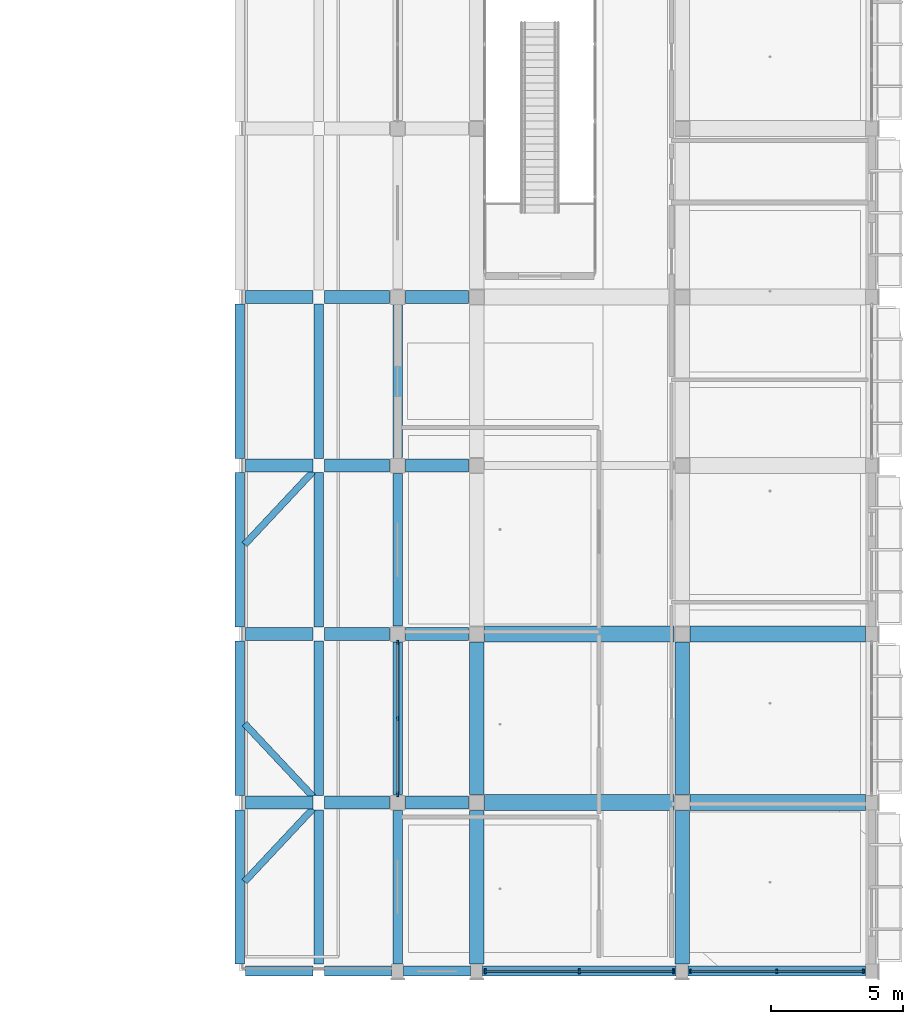
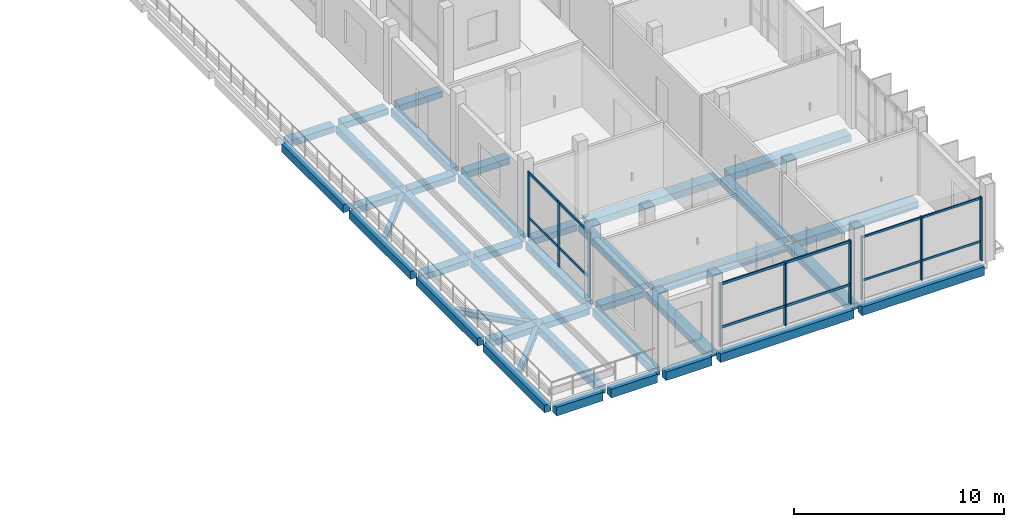
# One storey, part 32 of 95: 40 beams, 15 members, 3 elements without a shape of their own.
"""IFC4 building model written with IfcOpenShell, lengths in metres."""

import ifcopenshell
import ifcopenshell.guid

model = None  # the IFC model being written
_history = None  # IfcOwnerHistory: only IFC2X3 demands one
_inside = {}  # id of a spatial element -> (the spatial element, [elements in it])
_under = {}  # id of a project, library or spatial element -> (it, [spatial elements below it])
_declared = {}  # id of a project -> (the project, [libraries it declares])
_typed = {}  # id of a type object -> (the type object, [elements of that type])
_made_of = {}  # id of a material, layer set ... -> (it, [elements and type objects made of it])


def new_model(schema):
    """Start an empty IFC model of exactly this schema.

    Asked for "IFC4X3", IfcOpenShell would pick the latest addendum, in which some entities
    have other attributes; the version numbers below select the first issue.
    IFC2X3 requires an IfcOwnerHistory on every rooted entity: one is made here for all.
    """
    global model, _history
    if schema == "IFC4X3":
        model = ifcopenshell.file(schema_version=(4, 3, 0, 0))
    else:
        model = ifcopenshell.file(schema=schema)
    _inside.clear()
    _under.clear()
    _declared.clear()
    _typed.clear()
    _made_of.clear()
    _history = None
    if model.schema == "IFC2X3":
        org = make("IfcOrganization", Name="unknown")
        user = make(
            "IfcPersonAndOrganization",
            ThePerson=make("IfcPerson", FamilyName="unknown"),
            TheOrganization=org,
        )
        app = make(
            "IfcApplication",
            ApplicationDeveloper=org,
            Version="unknown",
            ApplicationFullName="unknown",
            ApplicationIdentifier="unknown",
        )
        _history = make(
            "IfcOwnerHistory",
            OwningUser=user,
            OwningApplication=app,
            ChangeAction="ADDED",
            CreationDate=0,
        )
    return model


def make(cls, **values):
    """One entity of the class cls with the attributes given. An attribute that is None is left unset."""
    return model.create_entity(
        cls, **{name: value for name, value in values.items() if value is not None}
    )


def rooted(cls, **values):
    """An entity with a GlobalId (a new one), such as an element, a storey or a relation."""
    return make(cls, GlobalId=ifcopenshell.guid.new(), OwnerHistory=_history, **values)


def si_unit(unit_type, name, prefix=None):
    """IfcSIUnit, for example si_unit("LENGTHUNIT", "METRE", prefix="MILLI")."""
    return make("IfcSIUnit", UnitType=unit_type, Prefix=prefix, Name=name)


def derived_unit(unit_type, elements):
    """IfcDerivedUnit: a product of units, each with its exponent."""
    return make(
        "IfcDerivedUnit",
        Elements=[
            make("IfcDerivedUnitElement", Unit=unit, Exponent=power)
            for unit, power in elements
        ],
        UnitType=unit_type,
    )


def assignment(units):
    """IfcUnitAssignment: the units of a project."""
    return None if units is None else make("IfcUnitAssignment", Units=units)


def point(xyz):
    """IfcCartesianPoint."""
    return None if xyz is None else make("IfcCartesianPoint", Coordinates=xyz)


def direction(xyz):
    """IfcDirection."""
    return None if xyz is None else make("IfcDirection", DirectionRatios=xyz)


def frame(location, z_axis=None, x_axis=None):
    """IfcAxis2Placement3D, a coordinate frame: its origin and axes. An axis left out is left unset."""
    return make(
        "IfcAxis2Placement3D",
        Location=point(location),
        Axis=direction(z_axis),
        RefDirection=direction(x_axis),
    )


def frame_2d(location, x_axis=None):
    """IfcAxis2Placement2D, a coordinate frame in the plane: its origin and x axis."""
    return make(
        "IfcAxis2Placement2D", Location=point(location), RefDirection=direction(x_axis)
    )


def origin():
    """The frame at (0, 0, 0) with its axes left unset."""
    return frame((0.0, 0.0, 0.0))


def origin_2d():
    """The frame at (0, 0) in the plane with its x axis left unset."""
    return frame_2d((0.0, 0.0))


def place(relative_to, where):
    """IfcLocalPlacement: puts the frame where relative to a parent placement (None: the world)."""
    return make(
        "IfcLocalPlacement", PlacementRelTo=relative_to, RelativePlacement=where
    )


def context(
    kind, dimensions, precision=None, world=None, true_north=None, identifier=None
):
    """IfcGeometricRepresentationContext, for example the 3D "Model" context."""
    return make(
        "IfcGeometricRepresentationContext",
        ContextIdentifier=identifier,
        ContextType=kind,
        CoordinateSpaceDimension=dimensions,
        Precision=precision,
        WorldCoordinateSystem=world,
        TrueNorth=true_north,
    )


def subcontext(parent, identifier, kind, view, scale=None):
    """IfcGeometricRepresentationSubContext, for example "Body" below "Model"."""
    return make(
        "IfcGeometricRepresentationSubContext",
        ContextIdentifier=identifier,
        ContextType=kind,
        ParentContext=parent,
        TargetScale=scale,
        TargetView=view,
    )


def project(units=None, contexts=None):
    """IfcProject with its units and contexts."""
    return rooted(
        "IfcProject",
        Name="project",
        RepresentationContexts=contexts,
        UnitsInContext=assignment(units),
    )


def spatial(cls, under=None, at=None, **own):
    """A site, building, storey or space (cls), placed at a placement, below another one or the project."""
    s = rooted(cls, ObjectPlacement=at, **own)
    if under is not None:
        _under.setdefault(under.id(), (under, []))[1].append(s)
    return s


def profile(cls, at=None, kind="AREA", **sizes):
    """A parametric profile (cls). Its sizes go by their IFC names, for example OverallWidth=200.0."""
    return make(cls, ProfileType=kind, Position=at, **sizes)


def rectangle(**sizes):
    """IfcRectangleProfileDef."""
    return profile("IfcRectangleProfileDef", **sizes)


def i_section(**sizes):
    """IfcIShapeProfileDef."""
    return profile("IfcIShapeProfileDef", **sizes)


def extrude(swept, where, along, depth):
    """IfcExtrudedAreaSolid: the profile swept, set in the frame where, extruded along a direction by depth."""
    return make(
        "IfcExtrudedAreaSolid",
        SweptArea=swept,
        Position=where,
        ExtrudedDirection=direction(along),
        Depth=depth,
    )


def shape(context_of_items, identifier, shape_type, items):
    """IfcShapeRepresentation: the items that make up one representation, for example the "Body"."""
    return make(
        "IfcShapeRepresentation",
        ContextOfItems=context_of_items,
        RepresentationIdentifier=identifier,
        RepresentationType=shape_type,
        Items=items,
    )


def material(Name=None, Category=None):
    """IfcMaterial."""
    return make("IfcMaterial", Name=Name, Category=Category)


def material_profile(
    of_material, cross_section, Name=None, Category=None, Priority=None
):
    """IfcMaterialProfile: a cross section and its material."""
    return make(
        "IfcMaterialProfile",
        Name=Name,
        Material=of_material,
        Profile=cross_section,
        Priority=Priority,
        Category=Category,
    )


def profile_set(profiles, Name=None, composite=None):
    """IfcMaterialProfileSet."""
    return make(
        "IfcMaterialProfileSet",
        Name=Name,
        MaterialProfiles=profiles,
        CompositeProfile=composite,
    )


def made_of(thing, what):
    """Note that an element or type object is made of a material, layer set ...; save() writes the relation."""
    if what is not None:
        _made_of.setdefault(what.id(), (what, []))[1].append(thing)
    return thing


def type_object(cls, material=None, **own):
    """A type object (cls), such as IfcWallType, which elements share."""
    return made_of(rooted(cls, **own), material)


def element(
    cls,
    number,
    at=None,
    inside=None,
    cuts=None,
    type_object=None,
    material=None,
    context=None,
    identifier="Body",
    shape_type=None,
    held_by="IfcProductDefinitionShape",
    body=None,
    shapes=None,
    **own,
):
    """One element of the class cls, such as IfcWall. Its Tag is "e" and its number.

    at: its placement. inside: the storey or other place that contains it. cuts: it is an
    opening in that element (IfcRelVoidsElement). A single representation is given by context,
    identifier, shape_type and body (its items); several are given by shapes. held_by: the class
    of the entity that holds the representations. save() writes the other relations.
    """
    e = rooted(cls, Tag="e%d" % number, ObjectPlacement=at, **own)
    if body is not None:
        shapes = [shape(context, identifier, shape_type, body)]
    if shapes is not None:
        e.Representation = make(held_by, Representations=shapes)
    if inside is not None:
        _inside.setdefault(inside.id(), (inside, []))[1].append(e)
    if cuts is not None:
        rooted(
            "IfcRelVoidsElement", RelatingBuildingElement=cuts, RelatedOpeningElement=e
        )
    if type_object is not None:
        _typed.setdefault(type_object.id(), (type_object, []))[1].append(e)
    return made_of(e, material)


def aggregate(whole, parts):
    """IfcRelAggregates: a whole, such as a stair, and the parts it consists of."""
    return rooted("IfcRelAggregates", RelatingObject=whole, RelatedObjects=parts)


def save(model, path):
    """Write the relations noted so far, then the file.

    IfcRelAggregates (storeys below a building ...), IfcRelContainedInSpatialStructure (elements
    in a storey), IfcRelDefinesByType, IfcRelAssociatesMaterial and IfcRelDeclares: one each for
    every whole, place, type object, material and project.
    """
    for whole, parts in _under.values():
        aggregate(whole, parts)
    for where, things in _inside.values():
        rooted(
            "IfcRelContainedInSpatialStructure",
            RelatedElements=things,
            RelatingStructure=where,
        )
    for kind, things in _typed.values():
        rooted("IfcRelDefinesByType", RelatedObjects=things, RelatingType=kind)
    for what, things in _made_of.values():
        rooted("IfcRelAssociatesMaterial", RelatedObjects=things, RelatingMaterial=what)
    for by, libraries in _declared.values():
        rooted("IfcRelDeclares", RelatingContext=by, RelatedDefinitions=libraries)
    model.write(path)


model = new_model("IFC4")

# Units and contexts
model_context = context("Model", 3, precision=1e-05, world=origin(), true_north=direction((0.0, 1.0)))
body_context = subcontext(model_context, "Body", "Model", "MODEL_VIEW")
ifc_project = project(units=[si_unit("LENGTHUNIT", "METRE"), si_unit("AREAUNIT", "SQUARE_METRE"), si_unit("VOLUMEUNIT", "CUBIC_METRE"), si_unit("PLANEANGLEUNIT", "RADIAN"), si_unit("MASSUNIT", "GRAM", prefix="KILO"), derived_unit("THERMALTRANSMITTANCEUNIT", [(si_unit("POWERUNIT", "WATT"), 1), (si_unit("LENGTHUNIT", "METRE"), -2), (si_unit("THERMODYNAMICTEMPERATUREUNIT", "KELVIN"), -1)])], contexts=[model_context])

# Site, building, storey
site_placement = place(None, origin())
site = spatial("IfcSite", under=ifc_project, at=site_placement, CompositionType="ELEMENT")
building_placement = place(site_placement, origin())
building = spatial("IfcBuilding", under=site, at=building_placement, Name="Braskholm Square Health Centre", CompositionType="ELEMENT")
storey_placement = place(building_placement, frame((0.0, 0.0, 4.800048828125)))
storey = spatial("IfcBuildingStorey", under=building, at=storey_placement, Name="L02", CompositionType="ELEMENT", Elevation=4.800048828125)

# Curtain wall, members
ifc_material_1 = material(Name="Low-E triple insulating glass (VLT 0.64)", Category="glass")
curtain_wall_type_1 = type_object("IfcCurtainWallType", Name="UnitisedCurtainWall6200x3650", PredefinedType="NOTDEFINED", material=ifc_material_1)
curtain_wall_1_placement = place(storey_placement, origin())
curtain_wall_1 = element("IfcCurtainWall", 1, at=curtain_wall_1_placement, inside=storey, type_object=curtain_wall_type_1, Name="Wing End unitised curtain wall CW-L02-0160", PredefinedType="NOTDEFINED")
ifc_material_2 = material(Name="Architectural bronze anodised aluminium", Category="aluminium")
ifc_material_profile_1 = material_profile(ifc_material_2, rectangle(XDim=0.06494140625, YDim=0.14990234375, at=origin_2d()), Name="ALU-65X150")
ifc_profile_set_1 = profile_set([ifc_material_profile_1], Name="Architectural bronze anodised aluminium")
member_type_1 = type_object("IfcMemberType", Name="CurtainWallMullion65x150", PredefinedType="MULLION", material=ifc_profile_set_1)
member_1_placement = place(storey_placement, frame((156.919921875, 4.199951171875, 0.0), z_axis=(0.0, 0.0, 1.0), x_axis=(1.0, 0.0, 0.0)))
member_1 = element("IfcMember", 2, at=member_1_placement, type_object=member_type_1, Name="CW-L02-0160 vertical mullion 1", PredefinedType="MULLION", context=body_context, shape_type="SweptSolid", body=[
    extrude(rectangle(XDim=0.06494140625, YDim=0.14990234375, at=origin_2d()), origin(), (0.0, 0.0, 1.0), 3.699951171875),
])
member_2_placement = place(storey_placement, frame((160.199951171875, 4.199951171875, 0.0), z_axis=(0.0, 0.0, 1.0), x_axis=(1.0, 0.0, 0.0)))
member_2 = element("IfcMember", 3, at=member_2_placement, type_object=member_type_1, Name="CW-L02-0160 vertical mullion 2", PredefinedType="MULLION", context=body_context, shape_type="SweptSolid", body=[
    extrude(rectangle(XDim=0.06494140625, YDim=0.14990234375, at=origin_2d()), origin(), (0.0, 0.0, 1.0), 3.699951171875),
])
member_3_placement = place(storey_placement, frame((163.480224609375, 4.199951171875, 0.0), z_axis=(0.0, 0.0, 1.0), x_axis=(1.0, 0.0, 0.0)))
member_3 = element("IfcMember", 4, at=member_3_placement, type_object=member_type_1, Name="CW-L02-0160 vertical mullion 3", PredefinedType="MULLION", context=body_context, shape_type="SweptSolid", body=[
    extrude(rectangle(XDim=0.06494140625, YDim=0.14990234375, at=origin_2d()), origin(), (0.0, 0.0, 1.0), 3.699951171875),
])

curtain_wall_type_2 = type_object("IfcCurtainWallType", Name="UnitisedCurtainWall6200x3800", PredefinedType="NOTDEFINED", material=ifc_material_1)
curtain_wall_2_placement = place(storey_placement, origin())
curtain_wall_2 = element("IfcCurtainWall", 5, at=curtain_wall_2_placement, inside=storey, type_object=curtain_wall_type_2, Name="East Valley unitised curtain wall CW-L02-0117", PredefinedType="NOTDEFINED")
ifc_material_profile_2 = material_profile(ifc_material_2, rectangle(XDim=0.074951171875, YDim=0.179931640625, at=origin_2d()), Name="ALU-75X180")
ifc_profile_set_2 = profile_set([ifc_material_profile_2], Name="Architectural bronze anodised aluminium")
member_type_2 = type_object("IfcMemberType", Name="CurtainWallMullion75x180", PredefinedType="MULLION", material=ifc_profile_set_2)
member_4_placement = place(storey_placement, frame((145.800048828125, 16.679931640625, 0.0), z_axis=(0.0, 0.0, 1.0), x_axis=(1.0, 0.0, 0.0)))
member_4 = element("IfcMember", 6, at=member_4_placement, type_object=member_type_2, Name="CW-L02-0117 vertical mullion 1", PredefinedType="MULLION", context=body_context, shape_type="SweptSolid", body=[
    extrude(rectangle(XDim=0.074951171875, YDim=0.179931640625, at=origin_2d()), origin(), (0.0, 0.0, 1.0), 3.7900390625),
])
member_5_placement = place(storey_placement, frame((145.800048828125, 13.800048828125, 0.0), z_axis=(0.0, 0.0, 1.0), x_axis=(1.0, 0.0, 0.0)))
member_5 = element("IfcMember", 7, at=member_5_placement, type_object=member_type_2, Name="CW-L02-0117 vertical mullion 2", PredefinedType="MULLION", context=body_context, shape_type="SweptSolid", body=[
    extrude(rectangle(XDim=0.074951171875, YDim=0.179931640625, at=origin_2d()), origin(), (0.0, 0.0, 1.0), 3.7900390625),
])
member_6_placement = place(storey_placement, frame((145.800048828125, 10.919921875, 0.0), z_axis=(0.0, 0.0, 1.0), x_axis=(1.0, 0.0, 0.0)))
member_6 = element("IfcMember", 8, at=member_6_placement, type_object=member_type_2, Name="CW-L02-0117 vertical mullion 3", PredefinedType="MULLION", context=body_context, shape_type="SweptSolid", body=[
    extrude(rectangle(XDim=0.074951171875, YDim=0.179931640625, at=origin_2d()), origin(), (0.0, 0.0, 1.0), 3.7900390625),
])

curtain_wall_3_placement = place(storey_placement, origin())
curtain_wall_3 = element("IfcCurtainWall", 9, at=curtain_wall_3_placement, inside=storey, type_object=curtain_wall_type_1, Name="Wing End unitised curtain wall CW-L02-0159", PredefinedType="NOTDEFINED")
member_7_placement = place(storey_placement, frame((149.123291015625, 4.199951171875, 0.0), z_axis=(0.0, 0.0, 1.0), x_axis=(1.0, 0.0, 0.0)))
member_7 = element("IfcMember", 10, at=member_7_placement, type_object=member_type_2, Name="CW-L02-0159 vertical mullion 1", PredefinedType="MULLION", context=body_context, shape_type="SweptSolid", body=[
    extrude(rectangle(XDim=0.074951171875, YDim=0.179931640625, at=origin_2d()), origin(), (0.0, 0.0, 1.0), 3.699951171875),
])
member_8_placement = place(storey_placement, frame((152.699951171875, 4.199951171875, 0.0), z_axis=(0.0, 0.0, 1.0), x_axis=(1.0, 0.0, 0.0)))
member_8 = element("IfcMember", 11, at=member_8_placement, type_object=member_type_2, Name="CW-L02-0159 vertical mullion 2", PredefinedType="MULLION", context=body_context, shape_type="SweptSolid", body=[
    extrude(rectangle(XDim=0.074951171875, YDim=0.179931640625, at=origin_2d()), origin(), (0.0, 0.0, 1.0), 3.699951171875),
])
member_9_placement = place(storey_placement, frame((156.276611328125, 4.199951171875, 0.0), z_axis=(0.0, 0.0, 1.0), x_axis=(1.0, 0.0, 0.0)))
member_9 = element("IfcMember", 12, at=member_9_placement, type_object=member_type_2, Name="CW-L02-0159 vertical mullion 3", PredefinedType="MULLION", context=body_context, shape_type="SweptSolid", body=[
    extrude(rectangle(XDim=0.074951171875, YDim=0.179931640625, at=origin_2d()), origin(), (0.0, 0.0, 1.0), 3.699951171875),
])

# Member
ifc_material_profile_3 = material_profile(ifc_material_2, rectangle(XDim=0.06494140625, YDim=0.1201171875, at=origin_2d()), Name="ALU-65X120")
ifc_profile_set_3 = profile_set([ifc_material_profile_3], Name="Architectural bronze anodised aluminium")
member_type_3 = type_object("IfcMemberType", Name="CurtainWallTransom65x120", PredefinedType="USERDEFINED", material=ifc_profile_set_3)
member_10_placement = place(storey_placement, frame((156.925048828125, 4.199951171875, 1.119873046875), z_axis=(1.0, 0.0, 0.0), x_axis=(0.0, 1.0, 0.0)))
member_10 = element("IfcMember", 13, at=member_10_placement, type_object=member_type_3, Name="CW-L02-0160 horizontal transom 1", ObjectType="TRANSOM", PredefinedType="USERDEFINED", context=body_context, shape_type="SweptSolid", body=[
    extrude(rectangle(XDim=0.06494140625, YDim=0.1201171875, at=origin_2d()), origin(), (0.0, 0.0, 1.0), 6.550048828125),
])

member_11_placement = place(storey_placement, frame((156.925048828125, 4.199951171875, 3.6298828125), z_axis=(1.0, 0.0, 0.0), x_axis=(0.0, 1.0, 0.0)))
member_11 = element("IfcMember", 14, at=member_11_placement, type_object=member_type_3, Name="CW-L02-0160 horizontal transom 2", ObjectType="TRANSOM", PredefinedType="USERDEFINED", context=body_context, shape_type="SweptSolid", body=[
    extrude(rectangle(XDim=0.06494140625, YDim=0.1201171875, at=origin_2d()), origin(), (0.0, 0.0, 1.0), 6.550048828125),
])

aggregate(curtain_wall_1, [member_1, member_2, member_3, member_10, member_11])

ifc_material_profile_4 = material_profile(ifc_material_2, rectangle(XDim=0.074951171875, YDim=0.139892578125, at=origin_2d()), Name="ALU-75X140")
ifc_profile_set_4 = profile_set([ifc_material_profile_4], Name="Architectural bronze anodised aluminium")
member_type_4 = type_object("IfcMemberType", Name="CurtainWallTransom75x140", PredefinedType="USERDEFINED", material=ifc_profile_set_4)
member_12_placement = place(storey_placement, frame((145.800048828125, 16.669921875, 1.119873046875), z_axis=(0.0, -1.0, 0.0), x_axis=(1.0, 0.0, 0.0)))
member_12 = element("IfcMember", 15, at=member_12_placement, type_object=member_type_4, Name="CW-L02-0117 horizontal transom 1", ObjectType="TRANSOM", PredefinedType="USERDEFINED", context=body_context, shape_type="SweptSolid", body=[
    extrude(rectangle(XDim=0.074951171875, YDim=0.139892578125, at=origin_2d()), origin(), (0.0, 0.0, 1.0), 5.739990234375),
])

member_13_placement = place(storey_placement, frame((145.800048828125, 16.669921875, 3.719970703125), z_axis=(0.0, -1.0, 0.0), x_axis=(1.0, 0.0, 0.0)))
member_13 = element("IfcMember", 16, at=member_13_placement, type_object=member_type_4, Name="CW-L02-0117 horizontal transom 2", ObjectType="TRANSOM", PredefinedType="USERDEFINED", context=body_context, shape_type="SweptSolid", body=[
    extrude(rectangle(XDim=0.074951171875, YDim=0.139892578125, at=origin_2d()), origin(), (0.0, 0.0, 1.0), 5.739990234375),
])

aggregate(curtain_wall_2, [member_4, member_5, member_6, member_12, member_13])

member_14_placement = place(storey_placement, frame((149.125, 4.199951171875, 1.119873046875), z_axis=(1.0, 0.0, 0.0), x_axis=(0.0, 1.0, 0.0)))
member_14 = element("IfcMember", 17, at=member_14_placement, type_object=member_type_4, Name="CW-L02-0159 horizontal transom 1", ObjectType="TRANSOM", PredefinedType="USERDEFINED", context=body_context, shape_type="SweptSolid", body=[
    extrude(rectangle(XDim=0.074951171875, YDim=0.139892578125, at=origin_2d()), origin(), (0.0, 0.0, 1.0), 7.14990234375),
])

member_15_placement = place(storey_placement, frame((149.125, 4.199951171875, 3.6298828125), z_axis=(1.0, 0.0, 0.0), x_axis=(0.0, 1.0, 0.0)))
member_15 = element("IfcMember", 18, at=member_15_placement, type_object=member_type_4, Name="CW-L02-0159 horizontal transom 2", ObjectType="TRANSOM", PredefinedType="USERDEFINED", context=body_context, shape_type="SweptSolid", body=[
    extrude(rectangle(XDim=0.074951171875, YDim=0.139892578125, at=origin_2d()), origin(), (0.0, 0.0, 1.0), 7.14990234375),
])

aggregate(curtain_wall_3, [member_7, member_8, member_9, member_14, member_15])

# Beams
ifc_material_3 = material(Name="Concrete C35/45 (f'c = 35 MPa)", Category="concrete")
ifc_material_profile_5 = material_profile(ifc_material_3, rectangle(XDim=0.5, YDim=0.360107421875, at=origin_2d()), Name="RCB-500X360")
ifc_profile_set_5 = profile_set([ifc_material_profile_5], Name="Concrete C35/45 (f'c = 35 MPa)")
beam_type_1 = type_object("IfcBeamType", Name="PrimaryBandBeam500x360", PredefinedType="BEAM", material=ifc_profile_set_5)
beam_1_placement = place(storey_placement, frame((140.02001953125, 10.60009765625, -0.429931640625), z_axis=(1.0, 0.0, 0.0), x_axis=(0.0, 1.0, 0.0)))
element("IfcBeam", 19, at=beam_1_placement, inside=storey, type_object=beam_type_1, Name="Beam 17-18/B L02", PredefinedType="BEAM", context=body_context, shape_type="SweptSolid", body=[
    extrude(rectangle(XDim=0.5, YDim=0.360107421875, at=origin_2d()), origin(), (0.0, 0.0, 1.0), 2.56005859375),
])
beam_2_placement = place(storey_placement, frame((143.02001953125, 10.60009765625, -0.429931640625), z_axis=(1.0, 0.0, 0.0), x_axis=(0.0, 1.0, 0.0)))
element("IfcBeam", 20, at=beam_2_placement, inside=storey, type_object=beam_type_1, Name="Beam 18-19/B L02", PredefinedType="BEAM", context=body_context, shape_type="SweptSolid", body=[
    extrude(rectangle(XDim=0.5, YDim=0.360107421875, at=origin_2d()), origin(), (0.0, 0.0, 1.0), 2.47998046875),
])
beam_3_placement = place(storey_placement, frame((146.10009765625, 10.60009765625, -0.47998046875), z_axis=(1.0, 0.0, 0.0), x_axis=(0.0, 1.0, 0.0)))
element("IfcBeam", 21, at=beam_3_placement, inside=storey, type_object=beam_type_1, Name="Beam 19-20/B L02", PredefinedType="BEAM", context=body_context, shape_type="SweptSolid", body=[
    extrude(rectangle(XDim=0.5, YDim=0.360107421875, at=origin_2d()), origin(), (0.0, 0.0, 1.0), 2.39990234375),
])
beam_4_placement = place(storey_placement, frame((140.02001953125, 17.0, -0.429931640625), z_axis=(1.0, 0.0, 0.0), x_axis=(0.0, 1.0, 0.0)))
element("IfcBeam", 22, at=beam_4_placement, inside=storey, type_object=beam_type_1, Name="Beam 17-18/C L02", PredefinedType="BEAM", context=body_context, shape_type="SweptSolid", body=[
    extrude(rectangle(XDim=0.5, YDim=0.360107421875, at=origin_2d()), origin(), (0.0, 0.0, 1.0), 2.56005859375),
])
beam_5_placement = place(storey_placement, frame((143.02001953125, 17.0, -0.429931640625), z_axis=(1.0, 0.0, 0.0), x_axis=(0.0, 1.0, 0.0)))
element("IfcBeam", 23, at=beam_5_placement, inside=storey, type_object=beam_type_1, Name="Beam 18-19/C L02", PredefinedType="BEAM", context=body_context, shape_type="SweptSolid", body=[
    extrude(rectangle(XDim=0.5, YDim=0.360107421875, at=origin_2d()), origin(), (0.0, 0.0, 1.0), 2.47998046875),
])
beam_6_placement = place(storey_placement, frame((146.10009765625, 17.0, -0.47998046875), z_axis=(1.0, 0.0, 0.0), x_axis=(0.0, 1.0, 0.0)))
element("IfcBeam", 24, at=beam_6_placement, inside=storey, type_object=beam_type_1, Name="Beam 19-20/C L02", PredefinedType="BEAM", context=body_context, shape_type="SweptSolid", body=[
    extrude(rectangle(XDim=0.5, YDim=0.360107421875, at=origin_2d()), origin(), (0.0, 0.0, 1.0), 2.39990234375),
])
beam_7_placement = place(storey_placement, frame((140.02001953125, 23.39990234375, -0.429931640625), z_axis=(1.0, 0.0, 0.0), x_axis=(0.0, 1.0, 0.0)))
element("IfcBeam", 25, at=beam_7_placement, inside=storey, type_object=beam_type_1, Name="Beam 17-18/D L02", PredefinedType="BEAM", context=body_context, shape_type="SweptSolid", body=[
    extrude(rectangle(XDim=0.5, YDim=0.360107421875, at=origin_2d()), origin(), (0.0, 0.0, 1.0), 2.56005859375),
])
beam_8_placement = place(storey_placement, frame((143.02001953125, 23.39990234375, -0.429931640625), z_axis=(1.0, 0.0, 0.0), x_axis=(0.0, 1.0, 0.0)))
element("IfcBeam", 26, at=beam_8_placement, inside=storey, type_object=beam_type_1, Name="Beam 18-19/D L02", PredefinedType="BEAM", context=body_context, shape_type="SweptSolid", body=[
    extrude(rectangle(XDim=0.5, YDim=0.360107421875, at=origin_2d()), origin(), (0.0, 0.0, 1.0), 2.47998046875),
])
beam_9_placement = place(storey_placement, frame((146.10009765625, 23.39990234375, -0.47998046875), z_axis=(1.0, 0.0, 0.0), x_axis=(0.0, 1.0, 0.0)))
element("IfcBeam", 27, at=beam_9_placement, inside=storey, type_object=beam_type_1, Name="Beam 19-20/D L02", PredefinedType="BEAM", context=body_context, shape_type="SweptSolid", body=[
    extrude(rectangle(XDim=0.5, YDim=0.360107421875, at=origin_2d()), origin(), (0.0, 0.0, 1.0), 2.39990234375),
])
beam_10_placement = place(storey_placement, frame((140.02001953125, 29.800048828125, -0.429931640625), z_axis=(1.0, 0.0, 0.0), x_axis=(0.0, 1.0, 0.0)))
element("IfcBeam", 28, at=beam_10_placement, inside=storey, type_object=beam_type_1, Name="Beam 17-18/E L02", PredefinedType="BEAM", context=body_context, shape_type="SweptSolid", body=[
    extrude(rectangle(XDim=0.5, YDim=0.360107421875, at=origin_2d()), origin(), (0.0, 0.0, 1.0), 2.56005859375),
])
beam_11_placement = place(storey_placement, frame((143.02001953125, 29.800048828125, -0.429931640625), z_axis=(1.0, 0.0, 0.0), x_axis=(0.0, 1.0, 0.0)))
element("IfcBeam", 29, at=beam_11_placement, inside=storey, type_object=beam_type_1, Name="Beam 18-19/E L02", PredefinedType="BEAM", context=body_context, shape_type="SweptSolid", body=[
    extrude(rectangle(XDim=0.5, YDim=0.360107421875, at=origin_2d()), origin(), (0.0, 0.0, 1.0), 2.47998046875),
])
beam_12_placement = place(storey_placement, frame((146.10009765625, 29.800048828125, -0.47998046875), z_axis=(1.0, 0.0, 0.0), x_axis=(0.0, 1.0, 0.0)))
element("IfcBeam", 30, at=beam_12_placement, inside=storey, type_object=beam_type_1, Name="Beam 19-20/E L02", PredefinedType="BEAM", context=body_context, shape_type="SweptSolid", body=[
    extrude(rectangle(XDim=0.5, YDim=0.360107421875, at=origin_2d()), origin(), (0.0, 0.0, 1.0), 2.39990234375),
])
ifc_material_profile_6 = material_profile(ifc_material_3, rectangle(XDim=0.550048828125, YDim=0.3798828125, at=origin_2d()), Name="RCB-550X380")
ifc_profile_set_6 = profile_set([ifc_material_profile_6], Name="Concrete C35/45 (f'c = 35 MPa)")
beam_type_2 = type_object("IfcBeamType", Name="PrimaryBandBeam550x380", PredefinedType="BEAM", material=ifc_profile_set_6)
beam_13_placement = place(storey_placement, frame((148.800048828125, 4.47998046875, -0.489990234375), z_axis=(0.0, 1.0, 0.0), x_axis=(-1.0, 0.0, 0.0)))
element("IfcBeam", 31, at=beam_13_placement, inside=storey, type_object=beam_type_2, Name="Beam 20/A-B L02", PredefinedType="BEAM", context=body_context, shape_type="SweptSolid", body=[
    extrude(rectangle(XDim=0.550048828125, YDim=0.3798828125, at=origin_2d()), origin(), (0.0, 0.0, 1.0), 5.820068359375),
])
beam_14_placement = place(storey_placement, frame((148.800048828125, 10.89990234375, -0.489990234375), z_axis=(0.0, 1.0, 0.0), x_axis=(-1.0, 0.0, 0.0)))
element("IfcBeam", 32, at=beam_14_placement, inside=storey, type_object=beam_type_2, Name="Beam 20/B-C L02", PredefinedType="BEAM", context=body_context, shape_type="SweptSolid", body=[
    extrude(rectangle(XDim=0.550048828125, YDim=0.3798828125, at=origin_2d()), origin(), (0.0, 0.0, 1.0), 5.800048828125),
])
beam_15_placement = place(storey_placement, frame((156.60009765625, 4.47998046875, -0.489990234375), z_axis=(0.0, 1.0, 0.0), x_axis=(-1.0, 0.0, 0.0)))
element("IfcBeam", 33, at=beam_15_placement, inside=storey, type_object=beam_type_2, Name="Beam 21/A-B L02", PredefinedType="BEAM", context=body_context, shape_type="SweptSolid", body=[
    extrude(rectangle(XDim=0.550048828125, YDim=0.3798828125, at=origin_2d()), origin(), (0.0, 0.0, 1.0), 5.820068359375),
])
beam_16_placement = place(storey_placement, frame((156.60009765625, 10.89990234375, -0.489990234375), z_axis=(0.0, 1.0, 0.0), x_axis=(-1.0, 0.0, 0.0)))
element("IfcBeam", 34, at=beam_16_placement, inside=storey, type_object=beam_type_2, Name="Beam 21/B-C L02", PredefinedType="BEAM", context=body_context, shape_type="SweptSolid", body=[
    extrude(rectangle(XDim=0.550048828125, YDim=0.3798828125, at=origin_2d()), origin(), (0.0, 0.0, 1.0), 5.800048828125),
])
ifc_material_profile_7 = material_profile(ifc_material_3, rectangle(XDim=0.60009765625, YDim=0.39990234375, at=origin_2d()), Name="RCB-600X400")
ifc_profile_set_7 = profile_set([ifc_material_profile_7], Name="Concrete C35/45 (f'c = 35 MPa)")
beam_type_3 = type_object("IfcBeamType", Name="PrimaryBandBeam600x400", PredefinedType="BEAM", material=ifc_profile_set_7)
beam_17_placement = place(storey_placement, frame((149.10009765625, 10.60009765625, -0.5), z_axis=(1.0, 0.0, 0.0), x_axis=(0.0, 1.0, 0.0)))
element("IfcBeam", 35, at=beam_17_placement, inside=storey, type_object=beam_type_3, Name="Beam 20-21/B L02", PredefinedType="BEAM", context=body_context, shape_type="SweptSolid", body=[
    extrude(rectangle(XDim=0.60009765625, YDim=0.39990234375, at=origin_2d()), origin(), (0.0, 0.0, 1.0), 7.199951171875),
])
beam_18_placement = place(storey_placement, frame((156.89990234375, 10.60009765625, -0.5), z_axis=(1.0, 0.0, 0.0), x_axis=(0.0, 1.0, 0.0)))
element("IfcBeam", 36, at=beam_18_placement, inside=storey, type_object=beam_type_3, Name="Beam 21-22/B L02", PredefinedType="BEAM", context=body_context, shape_type="SweptSolid", body=[
    extrude(rectangle(XDim=0.60009765625, YDim=0.39990234375, at=origin_2d()), origin(), (0.0, 0.0, 1.0), 6.670166015625),
])
beam_19_placement = place(storey_placement, frame((149.10009765625, 17.0, -0.5), z_axis=(1.0, 0.0, 0.0), x_axis=(0.0, 1.0, 0.0)))
element("IfcBeam", 37, at=beam_19_placement, inside=storey, type_object=beam_type_3, Name="Beam 20-21/C L02", PredefinedType="BEAM", context=body_context, shape_type="SweptSolid", body=[
    extrude(rectangle(XDim=0.60009765625, YDim=0.39990234375, at=origin_2d()), origin(), (0.0, 0.0, 1.0), 7.199951171875),
])
beam_20_placement = place(storey_placement, frame((156.89990234375, 17.0, -0.5), z_axis=(1.0, 0.0, 0.0), x_axis=(0.0, 1.0, 0.0)))
element("IfcBeam", 38, at=beam_20_placement, inside=storey, type_object=beam_type_3, Name="Beam 21-22/C L02", PredefinedType="BEAM", context=body_context, shape_type="SweptSolid", body=[
    extrude(rectangle(XDim=0.60009765625, YDim=0.39990234375, at=origin_2d()), origin(), (0.0, 0.0, 1.0), 6.670166015625),
])
ifc_material_4 = material(Name="Precast concrete C40/50 architectural white", Category="concrete")
ifc_material_profile_8 = material_profile(ifc_material_4, rectangle(XDim=0.3798828125, YDim=0.5, at=origin_2d()), Name="RCB-380X500")
ifc_profile_set_8 = profile_set([ifc_material_profile_8], Name="Precast concrete C40/50 architectural white")
beam_type_4 = type_object("IfcBeamType", Name="SpandrelPrecastEdge380x500", PredefinedType="SPANDREL", material=ifc_profile_set_8)
beam_21_placement = place(storey_placement, frame((140.02001953125, 4.199951171875, -0.5), z_axis=(1.0, 0.0, 0.0), x_axis=(0.0, 1.0, 0.0)))
element("IfcBeam", 39, at=beam_21_placement, inside=storey, type_object=beam_type_4, Name="Beam 17-18/A L02", PredefinedType="SPANDREL", context=body_context, shape_type="SweptSolid", body=[
    extrude(rectangle(XDim=0.3798828125, YDim=0.5, at=origin_2d()), origin(), (0.0, 0.0, 1.0), 2.56005859375),
])
beam_22_placement = place(storey_placement, frame((143.02001953125, 4.199951171875, -0.5), z_axis=(1.0, 0.0, 0.0), x_axis=(0.0, 1.0, 0.0)))
element("IfcBeam", 40, at=beam_22_placement, inside=storey, type_object=beam_type_4, Name="Beam 18-19/A L02", PredefinedType="SPANDREL", context=body_context, shape_type="SweptSolid", body=[
    extrude(rectangle(XDim=0.3798828125, YDim=0.5, at=origin_2d()), origin(), (0.0, 0.0, 1.0), 2.550048828125),
])
beam_23_placement = place(storey_placement, frame((146.030029296875, 4.199951171875, -0.550048828125), z_axis=(1.0, 0.0, 0.0), x_axis=(0.0, 1.0, 0.0)))
element("IfcBeam", 41, at=beam_23_placement, inside=storey, type_object=beam_type_4, Name="Beam 19-20/A L02", PredefinedType="SPANDREL", context=body_context, shape_type="SweptSolid", body=[
    extrude(rectangle(XDim=0.3798828125, YDim=0.5, at=origin_2d()), origin(), (0.0, 0.0, 1.0), 2.5400390625),
])
beam_24_placement = place(storey_placement, frame((149.030029296875, 4.199951171875, -0.550048828125), z_axis=(1.0, 0.0, 0.0), x_axis=(0.0, 1.0, 0.0)))
element("IfcBeam", 42, at=beam_24_placement, inside=storey, type_object=beam_type_4, Name="Beam 20-21/A L02", PredefinedType="SPANDREL", context=body_context, shape_type="SweptSolid", body=[
    extrude(rectangle(XDim=0.3798828125, YDim=0.5, at=origin_2d()), origin(), (0.0, 0.0, 1.0), 7.340087890625),
])
beam_25_placement = place(storey_placement, frame((156.830078125, 4.199951171875, -0.550048828125), z_axis=(1.0, 0.0, 0.0), x_axis=(0.0, 1.0, 0.0)))
element("IfcBeam", 43, at=beam_25_placement, inside=storey, type_object=beam_type_4, Name="Beam 21-22/A L02", PredefinedType="SPANDREL", context=body_context, shape_type="SweptSolid", body=[
    extrude(rectangle(XDim=0.3798828125, YDim=0.5, at=origin_2d()), origin(), (0.0, 0.0, 1.0), 6.739990234375),
])
ifc_material_profile_9 = material_profile(ifc_material_4, rectangle(XDim=0.360107421875, YDim=0.4599609375, at=origin_2d()), Name="RCB-360X460")
ifc_profile_set_9 = profile_set([ifc_material_profile_9], Name="Precast concrete C40/50 architectural white")
beam_type_5 = type_object("IfcBeamType", Name="SpandrelTerraceEdge360x460", PredefinedType="SPANDREL", material=ifc_profile_set_9)
beam_26_placement = place(storey_placement, frame((139.800048828125, 4.469970703125, -0.47998046875), z_axis=(0.0, 1.0, 0.0), x_axis=(-1.0, 0.0, 0.0)))
element("IfcBeam", 44, at=beam_26_placement, inside=storey, type_object=beam_type_5, Name="Beam 17/A-B L02", PredefinedType="SPANDREL", context=body_context, shape_type="SweptSolid", body=[
    extrude(rectangle(XDim=0.360107421875, YDim=0.4599609375, at=origin_2d()), origin(), (0.0, 0.0, 1.0), 5.860107421875),
])
for number, where, z_axis, x_axis, name in (
    (45, (139.800048828125, 10.8701171875, -0.47998046875), (0.0, 1.0, 0.0), (-1.0, 0.0, 0.0), "Beam 17/B-C L02"),
    (46, (139.800048828125, 17.27001953125, -0.47998046875), (0.0, 1.0, 0.0), (-1.0, 0.0, 0.0), "Beam 17/C-D L02"),
):
    element("IfcBeam", number, at=place(storey_placement, frame(where, z_axis=z_axis, x_axis=x_axis)), inside=storey, type_object=beam_type_5, Name=name, PredefinedType="SPANDREL", context=body_context, shape_type="SweptSolid", body=[
        extrude(rectangle(XDim=0.360107421875, YDim=0.4599609375, at=origin_2d()), origin(), (0.0, 0.0, 1.0), 5.85986328125),
    ])
for number, where, z_axis, x_axis, name in (
    (47, (139.800048828125, 23.669921875, -0.47998046875), (0.0, 1.0, 0.0), (-1.0, 0.0, 0.0), "Beam 17/D-E L02"),
    (48, (142.800048828125, 4.469970703125, -0.47998046875), (0.0, 1.0, 0.0), (-1.0, 0.0, 0.0), "Beam 18/A-B L02"),
):
    element("IfcBeam", number, at=place(storey_placement, frame(where, z_axis=z_axis, x_axis=x_axis)), inside=storey, type_object=beam_type_5, Name=name, PredefinedType="SPANDREL", context=body_context, shape_type="SweptSolid", body=[
        extrude(rectangle(XDim=0.360107421875, YDim=0.4599609375, at=origin_2d()), origin(), (0.0, 0.0, 1.0), 5.860107421875),
    ])
for number, where, z_axis, x_axis, name in (
    (49, (142.800048828125, 10.8701171875, -0.47998046875), (0.0, 1.0, 0.0), (-1.0, 0.0, 0.0), "Beam 18/B-C L02"),
    (50, (142.800048828125, 17.27001953125, -0.47998046875), (0.0, 1.0, 0.0), (-1.0, 0.0, 0.0), "Beam 18/C-D L02"),
):
    element("IfcBeam", number, at=place(storey_placement, frame(where, z_axis=z_axis, x_axis=x_axis)), inside=storey, type_object=beam_type_5, Name=name, PredefinedType="SPANDREL", context=body_context, shape_type="SweptSolid", body=[
        extrude(rectangle(XDim=0.360107421875, YDim=0.4599609375, at=origin_2d()), origin(), (0.0, 0.0, 1.0), 5.85986328125),
    ])
beam_27_placement = place(storey_placement, frame((142.800048828125, 23.669921875, -0.47998046875), z_axis=(0.0, 1.0, 0.0), x_axis=(-1.0, 0.0, 0.0)))
element("IfcBeam", 51, at=beam_27_placement, inside=storey, type_object=beam_type_5, Name="Beam 18/D-E L02", PredefinedType="SPANDREL", context=body_context, shape_type="SweptSolid", body=[
    extrude(rectangle(XDim=0.360107421875, YDim=0.4599609375, at=origin_2d()), origin(), (0.0, 0.0, 1.0), 5.860107421875),
])
beam_28_placement = place(storey_placement, frame((145.800048828125, 4.47998046875, -0.47998046875), z_axis=(0.0, 1.0, 0.0), x_axis=(-1.0, 0.0, 0.0)))
element("IfcBeam", 52, at=beam_28_placement, inside=storey, type_object=beam_type_5, Name="Beam 19/A-B L02", PredefinedType="SPANDREL", context=body_context, shape_type="SweptSolid", body=[
    extrude(rectangle(XDim=0.360107421875, YDim=0.4599609375, at=origin_2d()), origin(), (0.0, 0.0, 1.0), 5.820068359375),
])
for number, where, z_axis, x_axis, name in (
    (53, (145.800048828125, 10.89990234375, -0.47998046875), (0.0, 1.0, 0.0), (-1.0, 0.0, 0.0), "Beam 19/B-C L02"),
    (54, (145.800048828125, 17.300048828125, -0.47998046875), (0.0, 1.0, 0.0), (-1.0, 0.0, 0.0), "Beam 19/C-D L02"),
    (55, (145.800048828125, 23.699951171875, -0.47998046875), (0.0, 1.0, 0.0), (-1.0, 0.0, 0.0), "Beam 19/D-E L02"),
):
    element("IfcBeam", number, at=place(storey_placement, frame(where, z_axis=z_axis, x_axis=x_axis)), inside=storey, type_object=beam_type_5, Name=name, PredefinedType="SPANDREL", context=body_context, shape_type="SweptSolid", body=[
        extrude(rectangle(XDim=0.360107421875, YDim=0.4599609375, at=origin_2d()), origin(), (0.0, 0.0, 1.0), 5.800048828125),
    ])
ifc_material_5 = material(Name="Steel ASTM A992 Grade 50", Category="steel")
ifc_material_profile_10 = material_profile(ifc_material_5, i_section(OverallWidth=0.2548828125, OverallDepth=0.35693359375, WebThickness=0.010498046875, FlangeThickness=0.018310546875, at=origin_2d()), Name="W14X68")
ifc_profile_set_10 = profile_set([ifc_material_profile_10], Name="Steel ASTM A992 Grade 50")
beam_type_6 = type_object("IfcBeamType", Name="SteelBeamCanopyW14X68", PredefinedType="BEAM", material=ifc_profile_set_10)
beam_29_placement = place(storey_placement, frame((139.988525390625, 7.601318359375, -0.428466796875), z_axis=(0.683973263401, 0.729507076699, 0.0), x_axis=(-0.729507076699, 0.683973263401, 0.0)))
element("IfcBeam", 56, at=beam_29_placement, inside=storey, type_object=beam_type_6, Name="Tie beam PIL04 L02", PredefinedType="BEAM", context=body_context, shape_type="SweptSolid", body=[
    extrude(i_section(OverallWidth=0.2548828125, OverallDepth=0.35693359375, WebThickness=0.010498046875, FlangeThickness=0.018310546875, at=origin_2d()), origin(), (0.0, 0.0, 1.0), 3.790771484375),
])
for number, where, z_axis, x_axis, name in (
    (57, (139.988525390625, 13.598876953125, -0.428466796875), (0.683941128881, -0.72953720414, 0.0), (0.72953720414, 0.683941128881, 0.0), "Tie beam PIL05 L02"),
    (58, (139.988525390625, 20.401123046875, -0.428466796875), (0.683941128881, 0.72953720414, 0.0), (-0.72953720414, 0.683941128881, 0.0), "Tie beam PIL06 L02"),
):
    element("IfcBeam", number, at=place(storey_placement, frame(where, z_axis=z_axis, x_axis=x_axis)), inside=storey, type_object=beam_type_6, Name=name, PredefinedType="BEAM", context=body_context, shape_type="SweptSolid", body=[
        extrude(i_section(OverallWidth=0.2548828125, OverallDepth=0.35693359375, WebThickness=0.010498046875, FlangeThickness=0.018310546875, at=origin_2d()), origin(), (0.0, 0.0, 1.0), 3.791015625),
    ])

save(model, "model.ifc")
